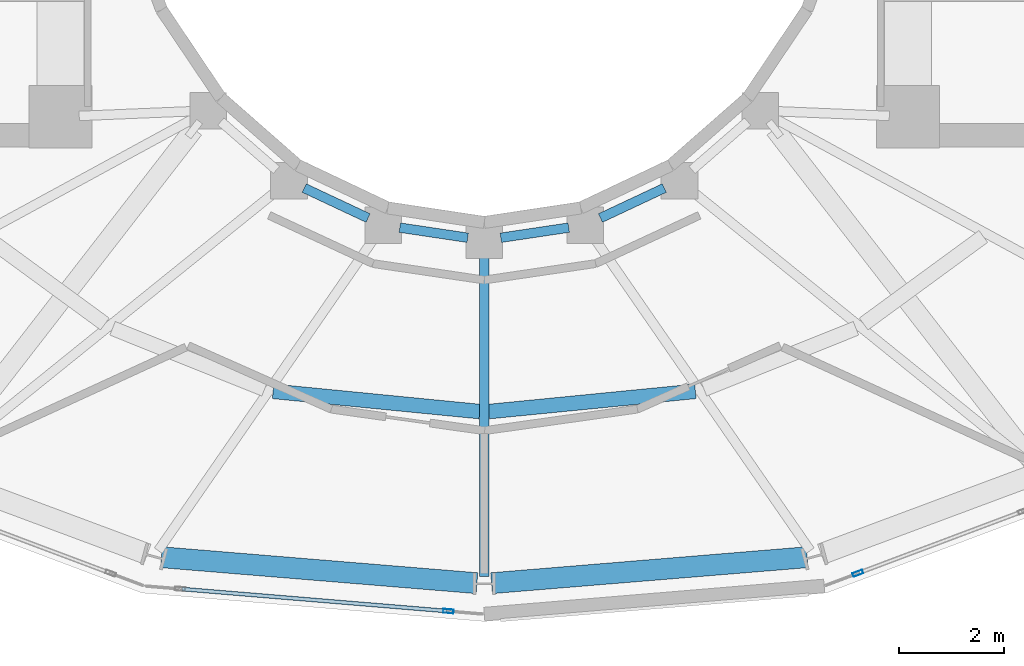
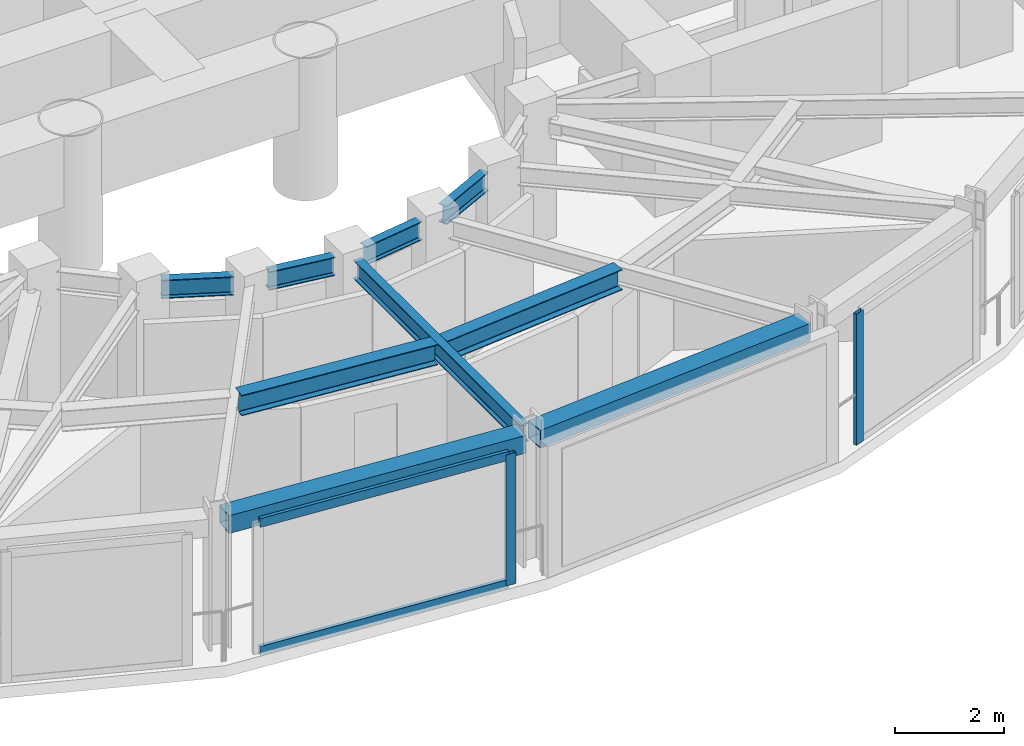
# One storey, part 5 of 17: 9 beams, 4 members, 2 elements without a shape of their own.
"""IFC4 building model written with IfcOpenShell, lengths in metres."""

from ifc_helpers import new_model, si_unit, direction, frame, origin, origin_2d, place, context, subcontext, project, spatial, hollow_rectangle, i_section, extrude, material, layer, layer_set, material_profile, profile_set, type_object, element, aggregate, save


model = new_model("IFC4")

# Units and contexts
model_context = context("Model", 3, precision=1e-05, world=origin(), true_north=direction((0.0, 1.0)))
body_context = subcontext(model_context, "Body", "Model", "MODEL_VIEW")
ifc_project = project(units=[si_unit("LENGTHUNIT", "METRE"), si_unit("AREAUNIT", "SQUARE_METRE"), si_unit("VOLUMEUNIT", "CUBIC_METRE"), si_unit("PLANEANGLEUNIT", "RADIAN"), si_unit("MASSUNIT", "GRAM", prefix="KILO")], contexts=[model_context])

# Site, building, storey
site_placement = place(None, origin())
site = spatial("IfcSite", under=ifc_project, at=site_placement, CompositionType="ELEMENT")
building_placement = place(site_placement, origin())
building = spatial("IfcBuilding", under=site, at=building_placement, Name="Solvane Sanctuary Tower", CompositionType="ELEMENT")
storey_placement = place(building_placement, frame((0.0, 0.0, 276.39990234375)))
storey = spatial("IfcBuildingStorey", under=building, at=storey_placement, Name="L84", CompositionType="ELEMENT", Elevation=276.39990234375)

# Beams
ifc_material_1 = material(Name="Steel ASTM A913 Grade 65", Category="steel")
ifc_material_profile_1 = material_profile(ifc_material_1, hollow_rectangle(XDim=0.39990234375, YDim=0.39990234375, WallThickness=0.01611328125, at=origin_2d()), Name="HSS400X400X16")
ifc_profile_set_1 = profile_set([ifc_material_profile_1], Name="Steel ASTM A913 Grade 65")
beam_type_1 = type_object("IfcBeamType", Name="Beam B-CROWN-CAP HSS400X400X16", PredefinedType="T_BEAM", material=ifc_profile_set_1)
for number, where, z_axis, x_axis, name in (
    (1, (25.8310546875, 8.482666015625, 2.748046875), (0.996632319823, -0.082000116366, 0.0), (0.082000116366, 0.996632319823, 0.0), "L84 Perimeter Spandrel Beam TC10-TC11"),
    (2, (32.139404296875, 7.986572265625, 2.748046875), (0.996632319823, 0.082000116366, 0.0), (-0.082000116366, 0.996632319823, 0.0), "L84 Perimeter Spandrel Beam TC11-TC12"),
):
    element("IfcBeam", number, at=place(storey_placement, frame(where, z_axis=z_axis, x_axis=x_axis)), inside=storey, type_object=beam_type_1, Name=name, PredefinedType="T_BEAM", context=body_context, shape_type="SweptSolid", body=[
        extrude(hollow_rectangle(XDim=0.39990234375, YDim=0.39990234375, WallThickness=0.01611328125, at=origin_2d()), origin(), (0.0, 0.0, 1.0), 6.0498046875),
    ])
ifc_material_2 = material(Name="Steel ASTM A992 Grade 50", Category="steel")
ifc_material_profile_2 = material_profile(ifc_material_2, i_section(OverallWidth=0.180908203125, OverallDepth=0.4169921875, WebThickness=0.010986328125, FlangeThickness=0.018310546875, FilletRadius=0.012939453125, at=origin_2d()), Name="W16X57")
ifc_profile_set_2 = profile_set([ifc_material_profile_2], Name="Steel ASTM A992 Grade 50")
beam_type_2 = type_object("IfcBeamType", Name="Beam B-ROOF-BM W16X57", PredefinedType="BEAM", material=ifc_profile_set_2)
beam_1_placement = place(storey_placement, frame((28.5595703125, 15.537353515625, 2.739501953125), z_axis=(0.905134542189, -0.425125229241, 0.0), x_axis=(0.425125229241, 0.905134542189, 0.0)))
element("IfcBeam", 3, at=beam_1_placement, inside=storey, type_object=beam_type_2, Name="L84 Inner Light-Well Ring Beam IC09-IC10", PredefinedType="BEAM", context=body_context, shape_type="SweptSolid", body=[
    extrude(i_section(OverallWidth=0.180908203125, OverallDepth=0.4169921875, WebThickness=0.010986328125, FlangeThickness=0.018310546875, FilletRadius=0.012939453125, at=origin_2d()), origin(), (0.0, 0.0, 1.0), 1.347900390625),
])
for number, where, z_axis, x_axis, name in (
    (4, (30.3857421875, 14.781005859375, 2.739501953125), (0.989056121481, -0.147539786368, 0.0), (0.147539786368, 0.989056121481, 0.0), "L84 Inner Light-Well Ring Beam IC10-IC11"),
    (5, (32.31640625, 14.58740234375, 2.739501953125), (0.989056121481, 0.147539786368, 0.0), (-0.147539786368, 0.989056121481, 0.0), "L84 Inner Light-Well Ring Beam IC11-IC12"),
):
    element("IfcBeam", number, at=place(storey_placement, frame(where, z_axis=z_axis, x_axis=x_axis)), inside=storey, type_object=beam_type_2, Name=name, PredefinedType="BEAM", context=body_context, shape_type="SweptSolid", body=[
        extrude(i_section(OverallWidth=0.180908203125, OverallDepth=0.4169921875, WebThickness=0.010986328125, FlangeThickness=0.018310546875, FilletRadius=0.012939453125, at=origin_2d()), origin(), (0.0, 0.0, 1.0), 1.312255859375),
    ])
beam_2_placement = place(storey_placement, frame((34.220458984375, 14.96435546875, 2.739501953125), z_axis=(0.905134542189, 0.425125229241, 0.0), x_axis=(-0.425125229241, 0.905134542189, 0.0)))
element("IfcBeam", 6, at=beam_2_placement, inside=storey, type_object=beam_type_2, Name="L84 Inner Light-Well Ring Beam IC12-IC13", PredefinedType="BEAM", context=body_context, shape_type="SweptSolid", body=[
    extrude(i_section(OverallWidth=0.180908203125, OverallDepth=0.4169921875, WebThickness=0.010986328125, FlangeThickness=0.018310546875, FilletRadius=0.012939453125, at=origin_2d()), origin(), (0.0, 0.0, 1.0), 1.347900390625),
])
beam_3_placement = place(storey_placement, frame((32.0, 14.260009765625, 2.739501953125), z_axis=(0.0, -1.0, 0.0), x_axis=(1.0, 0.0, 0.0)))
element("IfcBeam", 7, at=beam_3_placement, inside=storey, type_object=beam_type_2, Name="L84 Radial Composite Floor Beam 11", PredefinedType="BEAM", context=body_context, shape_type="SweptSolid", body=[
    extrude(i_section(OverallWidth=0.180908203125, OverallDepth=0.4169921875, WebThickness=0.010986328125, FlangeThickness=0.018310546875, FilletRadius=0.012939453125, at=origin_2d()), origin(), (0.0, 0.0, 1.0), 6.14501953125),
])
ifc_material_profile_3 = material_profile(ifc_material_2, i_section(OverallWidth=0.280029296875, OverallDepth=0.462890625, WebThickness=0.0107421875, FlangeThickness=0.017333984375, FilletRadius=0.013916015625, at=origin_2d()), Name="W18X76")
ifc_profile_set_3 = profile_set([ifc_material_profile_3], Name="Steel ASTM A992 Grade 50")
beam_type_3 = type_object("IfcBeamType", Name="Beam B-SEC-JOIST W18X76", PredefinedType="JOIST", material=ifc_profile_set_3)
for number, where, z_axis, x_axis, name in (
    (8, (27.965576171875, 11.65283203125, 2.716552734375), (0.995233795259, -0.097517653653, 0.0), (0.097517653653, 0.995233795259, 0.0), "L84 Secondary Circumferential Joist 10-11"),
    (9, (32.085205078125, 11.265869140625, 2.716552734375), (0.995233795259, 0.097517653653, 0.0), (-0.097517653653, 0.995233795259, 0.0), "L84 Secondary Circumferential Joist 11-12"),
):
    element("IfcBeam", number, at=place(storey_placement, frame(where, z_axis=z_axis, x_axis=x_axis)), inside=storey, type_object=beam_type_3, Name=name, PredefinedType="JOIST", context=body_context, shape_type="SweptSolid", body=[
        extrude(i_section(OverallWidth=0.280029296875, OverallDepth=0.462890625, WebThickness=0.0107421875, FlangeThickness=0.017333984375, FilletRadius=0.013916015625, at=origin_2d()), origin(), (0.0, 0.0, 1.0), 3.968017578125),
    ])

# Curtain wall, member
ifc_material_3 = material(Name="Anodised Aluminium 6063-T6", Category="aluminium")
ifc_layer = layer(ifc_material_3, 0.219970703125, Name="Anodised Aluminium 6063-T6")
ifc_layer_set = layer_set([ifc_layer], Name="Anodised Aluminium 6063-T6")
curtain_wall_type = type_object("IfcCurtainWallType", Name="Curtain Wall CW-CROWN", PredefinedType="NOTDEFINED", material=ifc_layer_set)
curtain_wall_1_placement = place(storey_placement, origin())
curtain_wall_1 = element("IfcCurtainWall", 10, at=curtain_wall_1_placement, inside=storey, type_object=curtain_wall_type, Name="L84 Crown Fritted Lantern Curtain Wall 17", PredefinedType="NOTDEFINED")
ifc_material_profile_4 = material_profile(ifc_material_3, hollow_rectangle(XDim=0.074951171875, YDim=0.199951171875, WallThickness=0.00390625, at=origin_2d()), Name="ALU200X75X4")
ifc_profile_set_4 = profile_set([ifc_material_profile_4], Name="Anodised Aluminium 6063-T6")
member_type_1 = type_object("IfcMemberType", Name="Member M-CW-MUL-1 ALU200X75X4", PredefinedType="MULLION", material=ifc_profile_set_4)
member_1_placement = place(storey_placement, frame((31.31494140625, 7.451904296875, 0.0), z_axis=(0.0, 0.0, 1.0), x_axis=(0.082720314892, 0.996572801909, 0.0)))
member_1 = element("IfcMember", 11, at=member_1_placement, type_object=member_type_1, Name="CW-CROWN mullion 2", PredefinedType="MULLION", context=body_context, shape_type="SweptSolid", body=[
    extrude(hollow_rectangle(XDim=0.074951171875, YDim=0.199951171875, WallThickness=0.00390625, at=origin_2d()), origin(), (0.0, 0.0, 1.0), 2.9501953125),
])

curtain_wall_2_placement = place(storey_placement, origin())
curtain_wall_2 = element("IfcCurtainWall", 12, at=curtain_wall_2_placement, inside=storey, type_object=curtain_wall_type, Name="L84 Crown Fritted Lantern Curtain Wall 19", PredefinedType="NOTDEFINED")
member_2_placement = place(storey_placement, frame((39.138916015625, 8.176025390625, 0.0), z_axis=(0.0, 0.0, 1.0), x_axis=(-0.351811483483, 0.936070873433, 0.0)))
member_2 = element("IfcMember", 13, at=member_2_placement, type_object=member_type_1, Name="CW-CROWN mullion 1", PredefinedType="MULLION", context=body_context, shape_type="SweptSolid", body=[
    extrude(hollow_rectangle(XDim=0.074951171875, YDim=0.199951171875, WallThickness=0.00390625, at=origin_2d()), origin(), (0.0, 0.0, 1.0), 2.9501953125),
])
aggregate(curtain_wall_2, [member_2])

# Member
ifc_material_profile_5 = material_profile(ifc_material_3, hollow_rectangle(XDim=0.074951171875, YDim=0.199951171875, WallThickness=0.00390625, at=origin_2d()), Name="ALU200X75X4")
ifc_profile_set_5 = profile_set([ifc_material_profile_5], Name="Anodised Aluminium 6063-T6")
member_type_2 = type_object("IfcMemberType", Name="Member M-CW-TRN-2 ALU200X75X4", PredefinedType="USERDEFINED", material=ifc_profile_set_5)
member_3_placement = place(storey_placement, frame((26.227294921875, 7.874267578125, 0.03759765625), z_axis=(0.996572619428, -0.082722513297, 0.0), x_axis=(0.082722513297, 0.996572619428, 0.0)))
member_3 = element("IfcMember", 14, at=member_3_placement, type_object=member_type_2, Name="CW-CROWN transom 1.1", ObjectType="TRANSOM", PredefinedType="USERDEFINED", context=body_context, shape_type="SweptSolid", body=[
    extrude(hollow_rectangle(XDim=0.074951171875, YDim=0.199951171875, WallThickness=0.00390625, at=origin_2d()), origin(), (0.0, 0.0, 1.0), 5.0673828125),
])

member_4_placement = place(storey_placement, frame((26.227294921875, 7.874267578125, 2.91259765625), z_axis=(0.996572619428, -0.082722513297, 0.0), x_axis=(0.082722513297, 0.996572619428, 0.0)))
member_4 = element("IfcMember", 15, at=member_4_placement, type_object=member_type_2, Name="CW-CROWN transom 1.2", ObjectType="TRANSOM", PredefinedType="USERDEFINED", context=body_context, shape_type="SweptSolid", body=[
    extrude(hollow_rectangle(XDim=0.074951171875, YDim=0.199951171875, WallThickness=0.00390625, at=origin_2d()), origin(), (0.0, 0.0, 1.0), 5.0673828125),
])

aggregate(curtain_wall_1, [member_1, member_3, member_4])

save(model, "model.ifc")
